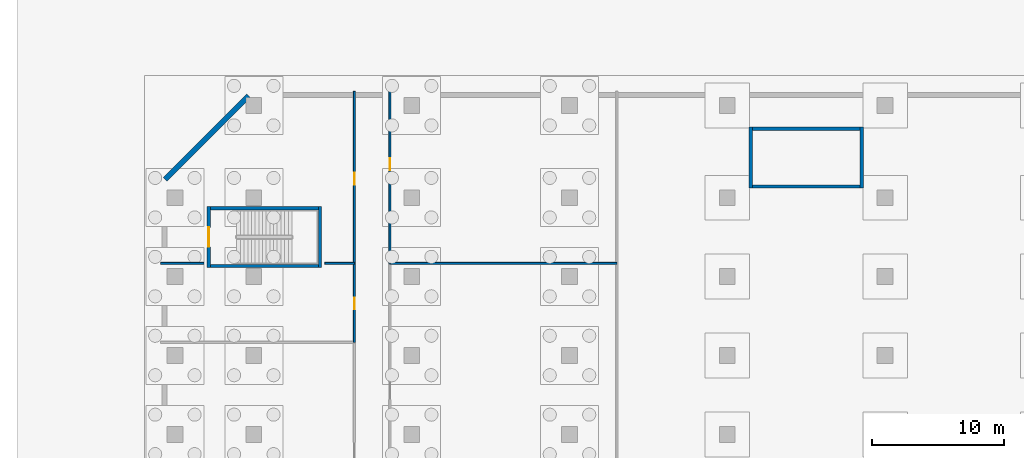
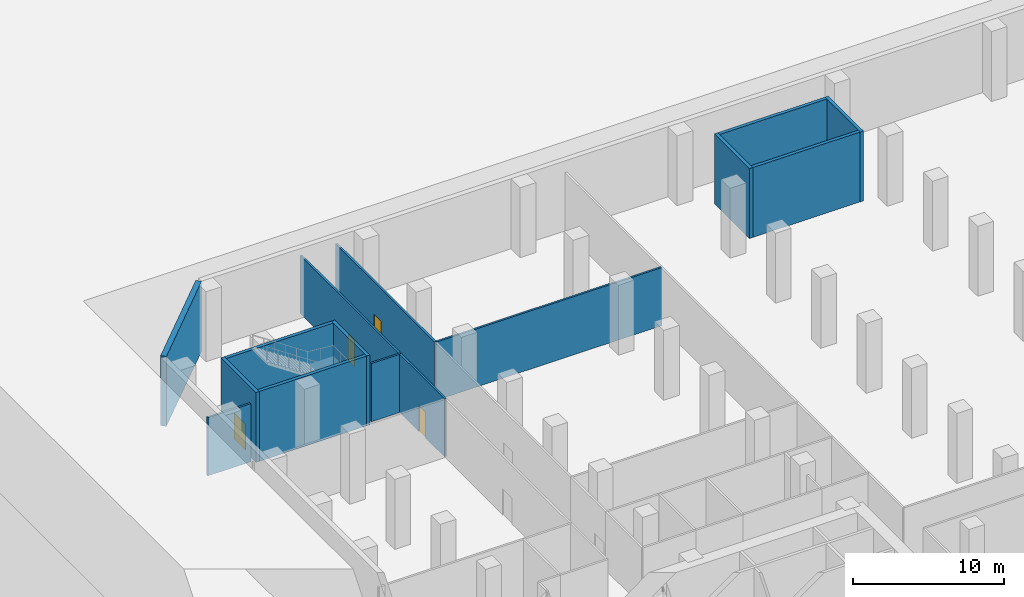
# One storey, part 11 of 16: 15 walls, 4 doors, 4 openings.
"""IFC4 building model written with IfcOpenShell, lengths in metres."""

import ifcopenshell
import ifcopenshell.guid

model = None  # the IFC model being written
_history = None  # IfcOwnerHistory: only IFC2X3 demands one
_inside = {}  # id of a spatial element -> (the spatial element, [elements in it])
_under = {}  # id of a project, library or spatial element -> (it, [spatial elements below it])
_declared = {}  # id of a project -> (the project, [libraries it declares])
_typed = {}  # id of a type object -> (the type object, [elements of that type])
_made_of = {}  # id of a material, layer set ... -> (it, [elements and type objects made of it])


def new_model(schema):
    """Start an empty IFC model of exactly this schema.

    Asked for "IFC4X3", IfcOpenShell would pick the latest addendum, in which some entities
    have other attributes; the version numbers below select the first issue.
    IFC2X3 requires an IfcOwnerHistory on every rooted entity: one is made here for all.
    """
    global model, _history
    if schema == "IFC4X3":
        model = ifcopenshell.file(schema_version=(4, 3, 0, 0))
    else:
        model = ifcopenshell.file(schema=schema)
    _inside.clear()
    _under.clear()
    _declared.clear()
    _typed.clear()
    _made_of.clear()
    _history = None
    if model.schema == "IFC2X3":
        org = make("IfcOrganization", Name="unknown")
        user = make(
            "IfcPersonAndOrganization",
            ThePerson=make("IfcPerson", FamilyName="unknown"),
            TheOrganization=org,
        )
        app = make(
            "IfcApplication",
            ApplicationDeveloper=org,
            Version="unknown",
            ApplicationFullName="unknown",
            ApplicationIdentifier="unknown",
        )
        _history = make(
            "IfcOwnerHistory",
            OwningUser=user,
            OwningApplication=app,
            ChangeAction="ADDED",
            CreationDate=0,
        )
    return model


def make(cls, **values):
    """One entity of the class cls with the attributes given. An attribute that is None is left unset."""
    return model.create_entity(
        cls, **{name: value for name, value in values.items() if value is not None}
    )


def rooted(cls, **values):
    """An entity with a GlobalId (a new one), such as an element, a storey or a relation."""
    return make(cls, GlobalId=ifcopenshell.guid.new(), OwnerHistory=_history, **values)


def si_unit(unit_type, name, prefix=None):
    """IfcSIUnit, for example si_unit("LENGTHUNIT", "METRE", prefix="MILLI")."""
    return make("IfcSIUnit", UnitType=unit_type, Prefix=prefix, Name=name)


def assignment(units):
    """IfcUnitAssignment: the units of a project."""
    return None if units is None else make("IfcUnitAssignment", Units=units)


def point(xyz):
    """IfcCartesianPoint."""
    return None if xyz is None else make("IfcCartesianPoint", Coordinates=xyz)


def direction(xyz):
    """IfcDirection."""
    return None if xyz is None else make("IfcDirection", DirectionRatios=xyz)


def frame(location, z_axis=None, x_axis=None):
    """IfcAxis2Placement3D, a coordinate frame: its origin and axes. An axis left out is left unset."""
    return make(
        "IfcAxis2Placement3D",
        Location=point(location),
        Axis=direction(z_axis),
        RefDirection=direction(x_axis),
    )


def frame_2d(location, x_axis=None):
    """IfcAxis2Placement2D, a coordinate frame in the plane: its origin and x axis."""
    return make(
        "IfcAxis2Placement2D", Location=point(location), RefDirection=direction(x_axis)
    )


def origin():
    """The frame at (0, 0, 0) with its axes left unset."""
    return frame((0.0, 0.0, 0.0))


def place(relative_to, where):
    """IfcLocalPlacement: puts the frame where relative to a parent placement (None: the world)."""
    return make(
        "IfcLocalPlacement", PlacementRelTo=relative_to, RelativePlacement=where
    )


def context(
    kind, dimensions, precision=None, world=None, true_north=None, identifier=None
):
    """IfcGeometricRepresentationContext, for example the 3D "Model" context."""
    return make(
        "IfcGeometricRepresentationContext",
        ContextIdentifier=identifier,
        ContextType=kind,
        CoordinateSpaceDimension=dimensions,
        Precision=precision,
        WorldCoordinateSystem=world,
        TrueNorth=true_north,
    )


def subcontext(parent, identifier, kind, view, scale=None):
    """IfcGeometricRepresentationSubContext, for example "Body" below "Model"."""
    return make(
        "IfcGeometricRepresentationSubContext",
        ContextIdentifier=identifier,
        ContextType=kind,
        ParentContext=parent,
        TargetScale=scale,
        TargetView=view,
    )


def project(units=None, contexts=None):
    """IfcProject with its units and contexts."""
    return rooted(
        "IfcProject",
        Name="project",
        RepresentationContexts=contexts,
        UnitsInContext=assignment(units),
    )


def spatial(cls, under=None, at=None, **own):
    """A site, building, storey or space (cls), placed at a placement, below another one or the project."""
    s = rooted(cls, ObjectPlacement=at, **own)
    if under is not None:
        _under.setdefault(under.id(), (under, []))[1].append(s)
    return s


def profile(cls, at=None, kind="AREA", **sizes):
    """A parametric profile (cls). Its sizes go by their IFC names, for example OverallWidth=200.0."""
    return make(cls, ProfileType=kind, Position=at, **sizes)


def rectangle(**sizes):
    """IfcRectangleProfileDef."""
    return profile("IfcRectangleProfileDef", **sizes)


def extrude(swept, where, along, depth):
    """IfcExtrudedAreaSolid: the profile swept, set in the frame where, extruded along a direction by depth."""
    return make(
        "IfcExtrudedAreaSolid",
        SweptArea=swept,
        Position=where,
        ExtrudedDirection=direction(along),
        Depth=depth,
    )


def shape(context_of_items, identifier, shape_type, items):
    """IfcShapeRepresentation: the items that make up one representation, for example the "Body"."""
    return make(
        "IfcShapeRepresentation",
        ContextOfItems=context_of_items,
        RepresentationIdentifier=identifier,
        RepresentationType=shape_type,
        Items=items,
    )


def material(Name=None, Category=None):
    """IfcMaterial."""
    return make("IfcMaterial", Name=Name, Category=Category)


def layer(
    of_material, thickness, ventilated=None, Name=None, Category=None, Priority=None
):
    """IfcMaterialLayer: one layer of a wall or slab, of a material (None: an air gap)."""
    return make(
        "IfcMaterialLayer",
        Material=of_material,
        LayerThickness=thickness,
        IsVentilated=ventilated,
        Name=Name,
        Category=Category,
        Priority=Priority,
    )


def layer_set(layers, Name=None):
    """IfcMaterialLayerSet."""
    return make("IfcMaterialLayerSet", MaterialLayers=layers, LayerSetName=Name)


def made_of(thing, what):
    """Note that an element or type object is made of a material, layer set ...; save() writes the relation."""
    if what is not None:
        _made_of.setdefault(what.id(), (what, []))[1].append(thing)
    return thing


def type_object(cls, material=None, **own):
    """A type object (cls), such as IfcWallType, which elements share."""
    return made_of(rooted(cls, **own), material)


def element(
    cls,
    number,
    at=None,
    inside=None,
    cuts=None,
    type_object=None,
    material=None,
    context=None,
    identifier="Body",
    shape_type=None,
    held_by="IfcProductDefinitionShape",
    body=None,
    shapes=None,
    **own,
):
    """One element of the class cls, such as IfcWall. Its Tag is "e" and its number.

    at: its placement. inside: the storey or other place that contains it. cuts: it is an
    opening in that element (IfcRelVoidsElement). A single representation is given by context,
    identifier, shape_type and body (its items); several are given by shapes. held_by: the class
    of the entity that holds the representations. save() writes the other relations.
    """
    e = rooted(cls, Tag="e%d" % number, ObjectPlacement=at, **own)
    if body is not None:
        shapes = [shape(context, identifier, shape_type, body)]
    if shapes is not None:
        e.Representation = make(held_by, Representations=shapes)
    if inside is not None:
        _inside.setdefault(inside.id(), (inside, []))[1].append(e)
    if cuts is not None:
        rooted(
            "IfcRelVoidsElement", RelatingBuildingElement=cuts, RelatedOpeningElement=e
        )
    if type_object is not None:
        _typed.setdefault(type_object.id(), (type_object, []))[1].append(e)
    return made_of(e, material)


def fill(opening, filler):
    """IfcRelFillsElement: the door or window that sits in an opening."""
    return rooted(
        "IfcRelFillsElement",
        RelatingOpeningElement=opening,
        RelatedBuildingElement=filler,
    )


def aggregate(whole, parts):
    """IfcRelAggregates: a whole, such as a stair, and the parts it consists of."""
    return rooted("IfcRelAggregates", RelatingObject=whole, RelatedObjects=parts)


def save(model, path):
    """Write the relations noted so far, then the file.

    IfcRelAggregates (storeys below a building ...), IfcRelContainedInSpatialStructure (elements
    in a storey), IfcRelDefinesByType, IfcRelAssociatesMaterial and IfcRelDeclares: one each for
    every whole, place, type object, material and project.
    """
    for whole, parts in _under.values():
        aggregate(whole, parts)
    for where, things in _inside.values():
        rooted(
            "IfcRelContainedInSpatialStructure",
            RelatedElements=things,
            RelatingStructure=where,
        )
    for kind, things in _typed.values():
        rooted("IfcRelDefinesByType", RelatedObjects=things, RelatingType=kind)
    for what, things in _made_of.values():
        rooted("IfcRelAssociatesMaterial", RelatedObjects=things, RelatingMaterial=what)
    for by, libraries in _declared.values():
        rooted("IfcRelDeclares", RelatingContext=by, RelatedDefinitions=libraries)
    model.write(path)


model = new_model("IFC4")

# Units and contexts
model_context = context("Model", 3, precision=1e-05, world=origin(), true_north=direction((0.0, 1.0)))
body_context = subcontext(model_context, "Body", "Model", "MODEL_VIEW")
ifc_project = project(units=[si_unit("LENGTHUNIT", "METRE"), si_unit("AREAUNIT", "SQUARE_METRE"), si_unit("VOLUMEUNIT", "CUBIC_METRE"), si_unit("PLANEANGLEUNIT", "RADIAN"), si_unit("MASSUNIT", "GRAM", prefix="KILO")], contexts=[model_context])

# Site, building, storey
site_placement = place(None, origin())
site = spatial("IfcSite", under=ifc_project, at=site_placement, CompositionType="ELEMENT")
building_placement = place(site_placement, origin())
building = spatial("IfcBuilding", under=site, at=building_placement, Name="Welwitschia Terrace Campus", CompositionType="ELEMENT")
storey_placement = place(building_placement, frame((0.0, 0.0, -6.0)))
storey = spatial("IfcBuildingStorey", under=building, at=storey_placement, Name="B1", CompositionType="ELEMENT", Elevation=-6.0)

# Wall, opening, door
ifc_material_1 = material(Name="Concrete C50/60", Category="concrete")
ifc_layer_1 = layer(ifc_material_1, 0.25)
ifc_layer_set_1 = layer_set([ifc_layer_1], Name="Concrete C50/60")
wall_type_1 = type_object("IfcWallType", Name="Core wall 250 Concrete C50/60", PredefinedType="SHEAR", material=ifc_layer_set_1)
wall_1_placement = place(storey_placement, frame((-3.425048828125, 56.675048828125, 0.0), z_axis=(0.0, 0.0, 1.0), x_axis=(0.0, 1.0, 0.0)))
wall_1 = element("IfcWall", 1, at=wall_1_placement, inside=storey, type_object=wall_type_1, Name="Core wall", PredefinedType="SHEAR", context=body_context, shape_type="SweptSolid", body=[
    extrude(rectangle(XDim=4.64990234375, YDim=0.25, at=frame_2d((2.324951171875, 0.0))), origin(), (0.0, 0.0, 1.0), 5.64990234375),
])
opening_1_placement = place(wall_1_placement, frame((1.574951171875, 0.0, 0.0)))
opening_1 = element("IfcOpeningElement", 2, at=opening_1_placement, cuts=wall_1, Name="Opening DS15", PredefinedType="OPENING", context=body_context, shape_type="SweptSolid", body=[
    extrude(rectangle(XDim=1.5, YDim=2.10009765625, at=frame_2d((0.75, 1.050048828125))), frame((0.0, 0.135009765625, 0.0), z_axis=(0.0, -1.0, 0.0), x_axis=(1.0, 0.0, 0.0)), (0.0, 0.0, 1.0), 0.27001953125),
])
ifc_material_2 = material(Name="Steel S275", Category="steel")
door_type_1 = type_object("IfcDoorType", Name="Core door DS15", OperationType="DOUBLE_DOOR_SINGLE_SWING", PredefinedType="DOOR", material=ifc_material_2)
door_1_placement = place(opening_1_placement, origin())
door_1 = element("IfcDoor", 3, at=door_1_placement, inside=storey, type_object=door_type_1, Name="Door P4", OperationType="DOUBLE_DOOR_SINGLE_SWING", OverallHeight=2.10009765625, OverallWidth=1.5, PredefinedType="DOOR", context=body_context, shape_type="SweptSolid", body=[
    extrude(rectangle(XDim=1.5, YDim=2.10009765625, at=frame_2d((0.75, 1.050048828125))), frame((0.0, 0.02490234375, 0.0), z_axis=(0.0, -1.0, 0.0), x_axis=(1.0, 0.0, 0.0)), (0.0, 0.0, 1.0), 0.050048828125),
])
fill(opening_1, door_1)

# Walls
wall_2_placement = place(storey_placement, frame((5.02490234375, 56.675048828125, 0.0), z_axis=(0.0, 0.0, 1.0), x_axis=(0.0, 1.0, 0.0)))
element("IfcWall", 4, at=wall_2_placement, inside=storey, type_object=wall_type_1, Name="Core wall", PredefinedType="SHEAR", context=body_context, shape_type="SweptSolid", body=[
    extrude(rectangle(XDim=4.64990234375, YDim=0.25, at=frame_2d((2.324951171875, 0.0))), origin(), (0.0, 0.0, 1.0), 5.64990234375),
])
for number, where, z_axis, x_axis, name in (
    (5, (-3.300048828125, 56.800048828125, 0.0), (0.0, 0.0, 1.0), (1.0, 0.0, 0.0), "Core wall"),
    (6, (-3.300048828125, 61.199951171875, 0.0), (0.0, 0.0, 1.0), (1.0, 0.0, 0.0), "Core wall"),
):
    element("IfcWall", number, at=place(storey_placement, frame(where, z_axis=z_axis, x_axis=x_axis)), inside=storey, type_object=wall_type_1, Name=name, PredefinedType="SHEAR", context=body_context, shape_type="SweptSolid", body=[
        extrude(rectangle(XDim=8.199951171875, YDim=0.25, at=frame_2d((4.10009765625, 0.0))), origin(), (0.0, 0.0, 1.0), 5.64990234375),
    ])
for number, where, z_axis, x_axis, name in (
    (7, (37.77490234375, 62.72509765625, 0.0), (0.0, 0.0, 1.0), (0.0, 1.0, 0.0), "Core wall"),
    (8, (46.22509765625, 62.72509765625, 0.0), (0.0, 0.0, 1.0), (0.0, 1.0, 0.0), "Core wall"),
):
    element("IfcWall", number, at=place(storey_placement, frame(where, z_axis=z_axis, x_axis=x_axis)), inside=storey, type_object=wall_type_1, Name=name, PredefinedType="SHEAR", context=body_context, shape_type="SweptSolid", body=[
        extrude(rectangle(XDim=4.64990234375, YDim=0.25, at=frame_2d((2.324951171875, 0.0))), origin(), (0.0, 0.0, 1.0), 5.64990234375),
    ])
for number, where, z_axis, x_axis, name in (
    (9, (37.89990234375, 62.85009765625, 0.0), (0.0, 0.0, 1.0), (1.0, 0.0, 0.0), "Core wall"),
    (10, (37.89990234375, 67.25, 0.0), (0.0, 0.0, 1.0), (1.0, 0.0, 0.0), "Core wall"),
):
    element("IfcWall", number, at=place(storey_placement, frame(where, z_axis=z_axis, x_axis=x_axis)), inside=storey, type_object=wall_type_1, Name=name, PredefinedType="SHEAR", context=body_context, shape_type="SweptSolid", body=[
        extrude(rectangle(XDim=8.2001953125, YDim=0.25, at=frame_2d((4.10009765625, 0.0))), origin(), (0.0, 0.0, 1.0), 5.64990234375),
    ])
ifc_material_3 = material(Name="Gypsum board on steel studs", Category="steel")
ifc_layer_2 = layer(ifc_material_3, 0.14990234375)
ifc_layer_set_2 = layer_set([ifc_layer_2], Name="Gypsum board on steel studs")
wall_type_2 = type_object("IfcWallType", Name="Corridor partition 150 EI 30", PredefinedType="PARTITIONING", material=ifc_layer_set_2)
wall_3_placement = place(storey_placement, frame((-7.090087890625, 57.0, 0.0), z_axis=(0.0, 0.0, 1.0), x_axis=(1.0, 0.0, 0.0)))
element("IfcWall", 11, at=wall_3_placement, inside=storey, type_object=wall_type_2, Name="Partition", PredefinedType="PARTITIONING", context=body_context, shape_type="SweptSolid", body=[
    extrude(rectangle(XDim=3.2900390625, YDim=0.14990234375, at=frame_2d((1.64501953125, 0.0))), origin(), (0.0, 0.0, 1.0), 4.699951171875),
])
wall_4_placement = place(storey_placement, frame((5.39990234375, 57.0, 0.0), z_axis=(0.0, 0.0, 1.0), x_axis=(1.0, 0.0, 0.0)))
element("IfcWall", 12, at=wall_4_placement, inside=storey, type_object=wall_type_2, Name="Partition", PredefinedType="PARTITIONING", context=body_context, shape_type="SweptSolid", body=[
    extrude(rectangle(XDim=2.25, YDim=0.14990234375, at=frame_2d((1.125, 0.0))), origin(), (0.0, 0.0, 1.0), 4.699951171875),
])

# Wall, opening, door
wall_5_placement = place(storey_placement, frame((7.64990234375, 51.0, 0.0), z_axis=(0.0, 0.0, 1.0), x_axis=(0.0, 1.0, 0.0)))
wall_5 = element("IfcWall", 13, at=wall_5_placement, inside=storey, type_object=wall_type_2, Name="Partition", PredefinedType="PARTITIONING", context=body_context, shape_type="SweptSolid", body=[
    extrude(rectangle(XDim=6.0, YDim=0.14990234375, at=frame_2d((3.0, 0.0))), origin(), (0.0, 0.0, 1.0), 4.699951171875),
])
opening_2_placement = place(wall_5_placement, frame((2.5, 0.0, 0.0)))
opening_2 = element("IfcOpeningElement", 14, at=opening_2_placement, cuts=wall_5, Name="Opening DI09", PredefinedType="OPENING", context=body_context, shape_type="SweptSolid", body=[
    extrude(rectangle(XDim=0.89990234375, YDim=2.10009765625, at=frame_2d((0.449951171875, 1.050048828125))), frame((0.0, 0.0849609375, 0.0), z_axis=(0.0, -1.0, 0.0), x_axis=(1.0, 0.0, 0.0)), (0.0, 0.0, 1.0), 0.169921875),
])
ifc_material_4 = material(Name="Timber veneered door", Category="wood")
door_type_2 = type_object("IfcDoorType", Name="Interior door DI09", OperationType="NOTDEFINED", PredefinedType="DOOR", material=ifc_material_4)
door_2_placement = place(opening_2_placement, origin())
door_2 = element("IfcDoor", 15, at=door_2_placement, inside=storey, type_object=door_type_2, Name="Door B1 003", OperationType="SINGLE_SWING_RIGHT", OverallHeight=2.10009765625, OverallWidth=0.89990234375, PredefinedType="DOOR", context=body_context, shape_type="SweptSolid", body=[
    extrude(rectangle(XDim=0.89990234375, YDim=2.10009765625, at=frame_2d((0.449951171875, 1.050048828125))), frame((0.0, 0.02490234375, 0.0), z_axis=(0.0, -1.0, 0.0), x_axis=(1.0, 0.0, 0.0)), (0.0, 0.0, 1.0), 0.050048828125),
])
fill(opening_2, door_2)

wall_6_placement = place(storey_placement, frame((7.64990234375, 57.0, 0.0), z_axis=(0.0, 0.0, 1.0), x_axis=(0.0, 1.0, 0.0)))
wall_6 = element("IfcWall", 16, at=wall_6_placement, inside=storey, type_object=wall_type_2, Name="Partition", PredefinedType="PARTITIONING", context=body_context, shape_type="SweptSolid", body=[
    extrude(rectangle(XDim=13.090087890625, YDim=0.14990234375, at=frame_2d((6.544921875, 0.0))), origin(), (0.0, 0.0, 1.0), 4.699951171875),
])
opening_3_placement = place(wall_6_placement, frame((5.989990234375, 0.0, 0.0)))
opening_3 = element("IfcOpeningElement", 17, at=opening_3_placement, cuts=wall_6, Name="Opening DI09", PredefinedType="OPENING", context=body_context, shape_type="SweptSolid", body=[
    extrude(rectangle(XDim=0.89990234375, YDim=2.10009765625, at=frame_2d((0.449951171875, 1.050048828125))), frame((0.0, 0.0849609375, 0.0), z_axis=(0.0, -1.0, 0.0), x_axis=(1.0, 0.0, 0.0)), (0.0, 0.0, 1.0), 0.169921875),
])
door_3_placement = place(opening_3_placement, origin())
door_3 = element("IfcDoor", 18, at=door_3_placement, inside=storey, type_object=door_type_2, Name="Door B1 004", OperationType="SINGLE_SWING_LEFT", OverallHeight=2.10009765625, OverallWidth=0.89990234375, PredefinedType="DOOR", context=body_context, shape_type="SweptSolid", body=[
    extrude(rectangle(XDim=0.89990234375, YDim=2.10009765625, at=frame_2d((0.449951171875, 1.050048828125))), frame((0.0, 0.02490234375, 0.0), z_axis=(0.0, -1.0, 0.0), x_axis=(1.0, 0.0, 0.0)), (0.0, 0.0, 1.0), 0.050048828125),
])
fill(opening_3, door_3)

# Wall
wall_7_placement = place(storey_placement, frame((10.35009765625, 57.0, 0.0), z_axis=(0.0, 0.0, 1.0), x_axis=(1.0, 0.0, 0.0)))
element("IfcWall", 19, at=wall_7_placement, inside=storey, type_object=wall_type_2, Name="Partition", PredefinedType="PARTITIONING", context=body_context, shape_type="SweptSolid", body=[
    extrude(rectangle(XDim=17.25, YDim=0.14990234375, at=frame_2d((8.625, 0.0))), origin(), (0.0, 0.0, 1.0), 4.699951171875),
])

# Wall, opening, door
wall_8_placement = place(storey_placement, frame((10.35009765625, 70.090087890625, 0.0), z_axis=(0.0, 0.0, 1.0), x_axis=(0.0, -1.0, 0.0)))
wall_8 = element("IfcWall", 20, at=wall_8_placement, inside=storey, type_object=wall_type_2, Name="Partition", PredefinedType="PARTITIONING", context=body_context, shape_type="SweptSolid", body=[
    extrude(rectangle(XDim=13.090087890625, YDim=0.14990234375, at=frame_2d((6.544921875, 0.0))), origin(), (0.0, 0.0, 1.0), 4.699951171875),
])
opening_4_placement = place(wall_8_placement, frame((5.090087890625, 0.0, 0.0)))
opening_4 = element("IfcOpeningElement", 21, at=opening_4_placement, cuts=wall_8, Name="Opening DI09", PredefinedType="OPENING", context=body_context, shape_type="SweptSolid", body=[
    extrude(rectangle(XDim=0.89990234375, YDim=2.10009765625, at=frame_2d((0.449951171875, 1.050048828125))), frame((0.0, 0.0849609375, 0.0), z_axis=(0.0, -1.0, 0.0), x_axis=(1.0, 0.0, 0.0)), (0.0, 0.0, 1.0), 0.169921875),
])
door_4_placement = place(opening_4_placement, origin())
door_4 = element("IfcDoor", 22, at=door_4_placement, inside=storey, type_object=door_type_2, Name="Door B1 007", OperationType="SINGLE_SWING_RIGHT", OverallHeight=2.10009765625, OverallWidth=0.89990234375, PredefinedType="DOOR", context=body_context, shape_type="SweptSolid", body=[
    extrude(rectangle(XDim=0.89990234375, YDim=2.10009765625, at=frame_2d((0.449951171875, 1.050048828125))), frame((0.0, 0.02490234375, 0.0), z_axis=(0.0, -1.0, 0.0), x_axis=(1.0, 0.0, 0.0)), (0.0, 0.0, 1.0), 0.050048828125),
])
fill(opening_4, door_4)

# Wall
ifc_material_5 = material(Name="Concrete C40/50", Category="concrete")
ifc_layer_3 = layer(ifc_material_5, 0.39990234375)
ifc_layer_set_3 = layer_set([ifc_layer_3], Name="Concrete C40/50")
wall_type_3 = type_object("IfcWallType", Name="Retaining wall 400", PredefinedType="SOLIDWALL", material=ifc_layer_set_3)
wall_9_placement = place(storey_placement, frame((-0.389892578125, 69.741455078125, 0.0), z_axis=(0.0, 0.0, 1.0), x_axis=(-0.707106781187, -0.707106781187, 0.0)))
element("IfcWall", 23, at=wall_9_placement, inside=storey, type_object=wall_type_3, Name="Basement retaining wall 6", PredefinedType="SOLIDWALL", context=body_context, shape_type="SweptSolid", body=[
    extrude(rectangle(XDim=8.982421875, YDim=0.39990234375, at=frame_2d((4.4912109375, 0.0))), origin(), (0.0, 0.0, 1.0), 5.64990234375),
])

save(model, "model.ifc")
